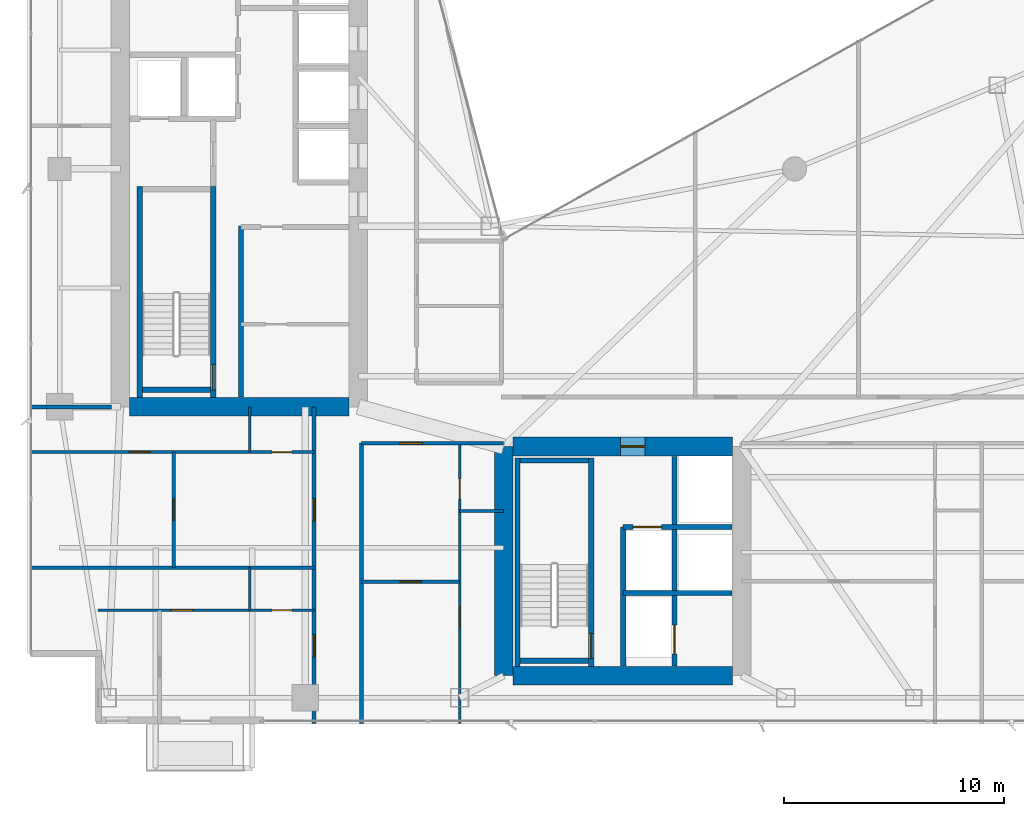
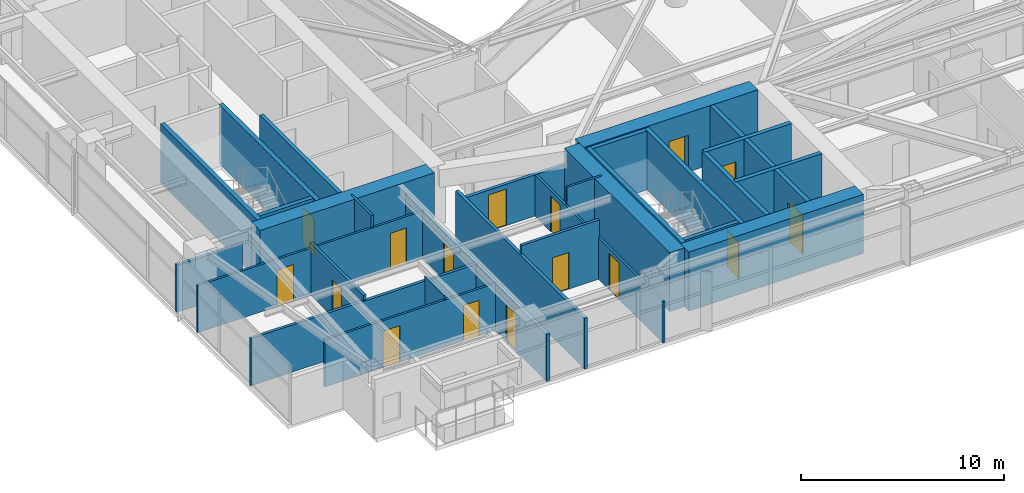
# One storey, part 22 of 28: 29 walls, 16 doors, 16 openings.
"""IFC4 building model written with IfcOpenShell, lengths in metres."""

from ifc_helpers import new_model, si_unit, direction, frame, frame_2d, origin, place, context, subcontext, project, spatial, rectangle, extrude, material, layer, layer_set, type_object, element, fill, save


model = new_model("IFC4")

# Units and contexts
model_context = context("Model", 3, precision=1e-05, world=origin(), true_north=direction((0.0, 1.0)))
body_context = subcontext(model_context, "Body", "Model", "MODEL_VIEW")
ifc_project = project(units=[si_unit("LENGTHUNIT", "METRE"), si_unit("AREAUNIT", "SQUARE_METRE"), si_unit("VOLUMEUNIT", "CUBIC_METRE"), si_unit("PLANEANGLEUNIT", "RADIAN"), si_unit("MASSUNIT", "GRAM", prefix="KILO")], contexts=[model_context])

# Site, building, storey
site_placement = place(None, origin())
site = spatial("IfcSite", under=ifc_project, at=site_placement, CompositionType="ELEMENT")
building_placement = place(site_placement, origin())
building = spatial("IfcBuilding", under=site, at=building_placement, Name="Calvorn Quay Hotel", CompositionType="ELEMENT")
storey_placement = place(building_placement, frame((0.0, 0.0, 101.199951171875)))
storey = spatial("IfcBuildingStorey", under=building, at=storey_placement, Name="L24", CompositionType="ELEMENT", Elevation=101.199951171875)

# Walls
ifc_material_1 = material(Name="Concrete C50", Category="concrete")
ifc_layer_1 = layer(ifc_material_1, 0.85009765625)
ifc_layer_set_1 = layer_set([ifc_layer_1], Name="WL-CORE-850")
wall_type_1 = type_object("IfcWallType", Name="WL-CORE-850", PredefinedType="SHEAR", material=ifc_layer_set_1)
wall_1_placement = place(storey_placement, frame((4.625, 16.800048828125, 0.0), z_axis=(0.0, 0.0, 1.0), x_axis=(1.0, 0.0, 0.0)))
element("IfcWall", 1, at=wall_1_placement, inside=storey, type_object=wall_type_1, Name="West Core Shear Wall S (L24)", PredefinedType="SHEAR", context=body_context, shape_type="SweptSolid", body=[
    extrude(rectangle(XDim=9.949951171875, YDim=0.85009765625, at=frame_2d((4.97509765625, 0.0))), origin(), (0.0, 0.0, 1.0), 3.56005859375),
])
wall_2_placement = place(storey_placement, frame((21.60009765625, 4.60009765625, 0.0), z_axis=(0.0, 0.0, 1.0), x_axis=(0.0, 1.0, 0.0)))
element("IfcWall", 2, at=wall_2_placement, inside=storey, type_object=wall_type_1, Name="East Core Shear Wall W (L24)", PredefinedType="SHEAR", context=body_context, shape_type="SweptSolid", body=[
    extrude(rectangle(XDim=10.39990234375, YDim=0.85009765625, at=frame_2d((5.199951171875, 0.0))), origin(), (0.0, 0.0, 1.0), 3.56005859375),
])

# Wall, opening, door
wall_3_placement = place(storey_placement, frame((22.02490234375, 15.0, 0.0), z_axis=(0.0, 0.0, 1.0), x_axis=(1.0, 0.0, 0.0)))
wall_3 = element("IfcWall", 3, at=wall_3_placement, inside=storey, type_object=wall_type_1, Name="East Core Shear Wall N (L24)", PredefinedType="SHEAR", context=body_context, shape_type="SweptSolid", body=[
    extrude(rectangle(XDim=9.9501953125, YDim=0.85009765625, at=frame_2d((4.97509765625, 0.0))), origin(), (0.0, 0.0, 1.0), 3.56005859375),
])
opening_1_placement = place(wall_3_placement, frame((4.8798828125, 0.0, 0.0)))
opening_1 = element("IfcOpeningElement", 4, at=opening_1_placement, cuts=wall_3, Name="Opening D-L24-FLE", PredefinedType="OPENING", context=body_context, shape_type="SweptSolid", body=[
    extrude(rectangle(XDim=1.10009765625, YDim=2.199951171875, at=frame_2d((0.550048828125, 1.10009765625))), frame((0.0, 0.43505859375, 0.0), z_axis=(0.0, -1.0, 0.0), x_axis=(1.0, 0.0, 0.0)), (0.0, 0.0, 1.0), 0.8701171875),
])
ifc_material_2 = material(Name="Smoke-Sealed Steel Class A Fire Door", Category="steel")
door_type_1 = type_object("IfcDoorType", Name="DR-FFLOBBY-1100", OperationType="NOTDEFINED", PredefinedType="DOOR", material=ifc_material_2)
door_1_placement = place(opening_1_placement, origin())
door_1 = element("IfcDoor", 5, at=door_1_placement, inside=storey, type_object=door_type_1, Name="East Firefighting Lobby Fire Door (L24)", OperationType="SINGLE_SWING_RIGHT", OverallHeight=2.199951171875, OverallWidth=1.10009765625, PredefinedType="DOOR", context=body_context, shape_type="SweptSolid", body=[
    extrude(rectangle(XDim=1.10009765625, YDim=2.199951171875, at=frame_2d((0.550048828125, 1.10009765625))), frame((0.0, 0.02490234375, 0.0), z_axis=(0.0, -1.0, 0.0), x_axis=(1.0, 0.0, 0.0)), (0.0, 0.0, 1.0), 0.050048828125),
])
fill(opening_1, door_1)

# Walls
wall_4_placement = place(storey_placement, frame((22.02490234375, 4.60009765625, 0.0), z_axis=(0.0, 0.0, 1.0), x_axis=(1.0, 0.0, 0.0)))
element("IfcWall", 6, at=wall_4_placement, inside=storey, type_object=wall_type_1, Name="East Core Shear Wall S (L24)", PredefinedType="SHEAR", context=body_context, shape_type="SweptSolid", body=[
    extrude(rectangle(XDim=9.9501953125, YDim=0.85009765625, at=frame_2d((4.97509765625, 0.0))), origin(), (0.0, 0.0, 1.0), 3.56005859375),
])
ifc_material_3 = material(Name="Acoustic Fireboard Steel-Stud Partition", Category="steel")
ifc_layer_2 = layer(ifc_material_3, 0.179931640625)
ifc_layer_set_2 = layer_set([ifc_layer_2], Name="WL-CORR-FIRE-180")
wall_type_2 = type_object("IfcWallType", Name="WL-CORR-FIRE-180", PredefinedType="PARTITIONING", material=ifc_layer_set_2)
wall_5_placement = place(storey_placement, frame((0.080078125, 16.800048828125, 0.0), z_axis=(0.0, 0.0, 1.0), x_axis=(1.0, 0.0, 0.0)))
element("IfcWall", 7, at=wall_5_placement, inside=storey, type_object=wall_type_2, Name="Partition Wall L24-WL-WBAY-S-WALL", PredefinedType="PARTITIONING", context=body_context, shape_type="SweptSolid", body=[
    extrude(rectangle(XDim=3.724853515625, YDim=0.179931640625, at=frame_2d((1.8623046875, 0.0))), origin(), (0.0, 0.0, 1.0), 2.840087890625),
])

# Wall, openings, doors
wall_6_placement = place(storey_placement, frame((13.0, 2.43994140625, 0.0), z_axis=(0.0, 0.0, 1.0), x_axis=(0.0, 1.0, 0.0)))
wall_6 = element("IfcWall", 8, at=wall_6_placement, inside=storey, type_object=wall_type_2, Name="Partition Wall L24-WL-CORR-SW-LEG-W", PredefinedType="PARTITIONING", context=body_context, shape_type="SweptSolid", body=[
    extrude(rectangle(XDim=14.360107421875, YDim=0.179931640625, at=frame_2d((7.18017578125, 0.0))), origin(), (0.0, 0.0, 1.0), 2.840087890625),
])
opening_2_placement = place(wall_6_placement, frame((3.010009765625, 0.0, 0.0)))
opening_2 = element("IfcOpeningElement", 9, at=opening_2_placement, cuts=wall_6, Name="Opening D-L24-U01", PredefinedType="OPENING", context=body_context, shape_type="SweptSolid", body=[
    extrude(rectangle(XDim=1.02001953125, YDim=2.199951171875, at=frame_2d((0.510009765625, 1.10009765625))), frame((0.0, 0.099853515625, 0.0), z_axis=(0.0, -1.0, 0.0), x_axis=(1.0, 0.0, 0.0)), (0.0, 0.0, 1.0), 0.199951171875),
])
opening_3_placement = place(wall_6_placement, frame((9.179931640625, 0.0, 0.0)))
opening_3 = element("IfcOpeningElement", 10, at=opening_3_placement, cuts=wall_6, Name="Opening D-L24-U02", PredefinedType="OPENING", context=body_context, shape_type="SweptSolid", body=[
    extrude(rectangle(XDim=1.02001953125, YDim=2.199951171875, at=frame_2d((0.510009765625, 1.10009765625))), frame((0.0, 0.099853515625, 0.0), z_axis=(0.0, -1.0, 0.0), x_axis=(1.0, 0.0, 0.0)), (0.0, 0.0, 1.0), 0.199951171875),
])
ifc_material_4 = material(Name="Solid-Core Walnut Veneer Hotel Fire Door")
door_type_2 = type_object("IfcDoorType", Name="DR-GUEST-ENTRY-1020", OperationType="NOTDEFINED", PredefinedType="DOOR", material=ifc_material_4)
door_2_placement = place(opening_2_placement, origin())
door_2 = element("IfcDoor", 11, at=door_2_placement, inside=storey, type_object=door_type_2, Name="South-West Unit Door U01 (L24)", OperationType="SINGLE_SWING_LEFT", OverallHeight=2.199951171875, OverallWidth=1.02001953125, PredefinedType="DOOR", context=body_context, shape_type="SweptSolid", body=[
    extrude(rectangle(XDim=1.02001953125, YDim=2.199951171875, at=frame_2d((0.510009765625, 1.10009765625))), frame((0.0, 0.02490234375, 0.0), z_axis=(0.0, -1.0, 0.0), x_axis=(1.0, 0.0, 0.0)), (0.0, 0.0, 1.0), 0.050048828125),
])
fill(opening_2, door_2)
door_3_placement = place(opening_3_placement, origin())
door_3 = element("IfcDoor", 12, at=door_3_placement, inside=storey, type_object=door_type_2, Name="South-West Unit Door U02 (L24)", OperationType="SINGLE_SWING_RIGHT", OverallHeight=2.199951171875, OverallWidth=1.02001953125, PredefinedType="DOOR", context=body_context, shape_type="SweptSolid", body=[
    extrude(rectangle(XDim=1.02001953125, YDim=2.199951171875, at=frame_2d((0.510009765625, 1.10009765625))), frame((0.0, 0.02490234375, 0.0), z_axis=(0.0, -1.0, 0.0), x_axis=(1.0, 0.0, 0.0)), (0.0, 0.0, 1.0), 0.050048828125),
])
fill(opening_3, door_3)

# Wall
wall_7_placement = place(storey_placement, frame((15.14990234375, 2.43994140625, 0.0), z_axis=(0.0, 0.0, 1.0), x_axis=(0.0, 1.0, 0.0)))
element("IfcWall", 13, at=wall_7_placement, inside=storey, type_object=wall_type_2, Name="Partition Wall L24-WL-CORR-SW-W", PredefinedType="PARTITIONING", context=body_context, shape_type="SweptSolid", body=[
    extrude(rectangle(XDim=12.7099609375, YDim=0.179931640625, at=frame_2d((6.35498046875, 0.0))), origin(), (0.0, 0.0, 1.0), 3.0400390625),
])

# Wall, opening, door
wall_8_placement = place(storey_placement, frame((15.14990234375, 15.14990234375, 0.0), z_axis=(0.0, 0.0, 1.0), x_axis=(1.0, 0.0, 0.0)))
wall_8 = element("IfcWall", 14, at=wall_8_placement, inside=storey, type_object=wall_type_2, Name="Partition Wall L24-WL-SC-CORR-S", PredefinedType="PARTITIONING", context=body_context, shape_type="SweptSolid", body=[
    extrude(rectangle(XDim=6.4501953125, YDim=0.179931640625, at=frame_2d((3.22509765625, 0.0))), origin(), (0.0, 0.0, 1.0), 2.489990234375),
])
opening_4_placement = place(wall_8_placement, frame((1.739990234375, 0.0, 0.0)))
opening_4 = element("IfcOpeningElement", 15, at=opening_4_placement, cuts=wall_8, Name="Opening D-L24-U03", PredefinedType="OPENING", context=body_context, shape_type="SweptSolid", body=[
    extrude(rectangle(XDim=1.02001953125, YDim=2.199951171875, at=frame_2d((0.510009765625, 1.10009765625))), frame((0.0, 0.099853515625, 0.0), z_axis=(0.0, -1.0, 0.0), x_axis=(1.0, 0.0, 0.0)), (0.0, 0.0, 1.0), 0.199951171875),
])
door_4_placement = place(opening_4_placement, origin())
door_4 = element("IfcDoor", 16, at=door_4_placement, inside=storey, type_object=door_type_2, Name="Harbour Central Unit Door (L24)", OperationType="SINGLE_SWING_LEFT", OverallHeight=2.199951171875, OverallWidth=1.02001953125, PredefinedType="DOOR", context=body_context, shape_type="SweptSolid", body=[
    extrude(rectangle(XDim=1.02001953125, YDim=2.199951171875, at=frame_2d((0.510009765625, 1.10009765625))), frame((0.0, 0.02490234375, 0.0), z_axis=(0.0, -1.0, 0.0), x_axis=(1.0, 0.0, 0.0)), (0.0, 0.0, 1.0), 0.050048828125),
])
fill(opening_4, door_4)

# Wall
ifc_material_5 = material(Name="Moisture-Resistant Tile-Backed Partition")
ifc_layer_3 = layer(ifc_material_5, 0.125)
ifc_layer_set_3 = layer_set([ifc_layer_3], Name="WL-ENSUITE-125")
wall_type_3 = type_object("IfcWallType", Name="WL-ENSUITE-125", PredefinedType="PARTITIONING", material=ifc_layer_set_3)
wall_9_placement = place(storey_placement, frame((10.080078125, 7.570068359375, 0.0), z_axis=(0.0, 0.0, 1.0), x_axis=(0.0, 1.0, 0.0)))
element("IfcWall", 17, at=wall_9_placement, inside=storey, type_object=wall_type_3, Name="Partition Wall L24-WL-U01-BDV", PredefinedType="PARTITIONING", context=body_context, shape_type="SweptSolid", body=[
    extrude(rectangle(XDim=1.929931640625, YDim=0.125, at=frame_2d((0.96484375, 0.0))), origin(), (0.0, 0.0, 1.0), 3.090087890625),
])

# Wall, openings, doors
wall_10_placement = place(storey_placement, frame((3.199951171875, 7.570068359375, 0.0), z_axis=(0.0, 0.0, 1.0), x_axis=(1.0, 0.0, 0.0)))
wall_10 = element("IfcWall", 18, at=wall_10_placement, inside=storey, type_object=wall_type_3, Name="Partition Wall L24-WL-U01-BH", PredefinedType="PARTITIONING", context=body_context, shape_type="SweptSolid", body=[
    extrude(rectangle(XDim=9.800048828125, YDim=0.125, at=frame_2d((4.89990234375, 0.0))), origin(), (0.0, 0.0, 1.0), 2.840087890625),
])
opening_5_placement = place(wall_10_placement, frame((3.320068359375, 0.0, 0.0)))
opening_5 = element("IfcOpeningElement", 19, at=opening_5_placement, cuts=wall_10, Name="Opening D-L24-S01", PredefinedType="OPENING", context=body_context, shape_type="SweptSolid", body=[
    extrude(rectangle(XDim=0.9599609375, YDim=2.199951171875, at=frame_2d((0.47998046875, 1.10009765625))), frame((0.0, 0.072509765625, 0.0), z_axis=(0.0, -1.0, 0.0), x_axis=(1.0, 0.0, 0.0)), (0.0, 0.0, 1.0), 0.14501953125),
])
opening_6_placement = place(wall_10_placement, frame((7.889892578125, 0.0, 0.0)))
opening_6 = element("IfcOpeningElement", 20, at=opening_6_placement, cuts=wall_10, Name="Opening D-L24-E01", PredefinedType="OPENING", context=body_context, shape_type="SweptSolid", body=[
    extrude(rectangle(XDim=0.89990234375, YDim=2.14990234375, at=frame_2d((0.449951171875, 1.074951171875))), frame((0.0, 0.072509765625, 0.0), z_axis=(0.0, -1.0, 0.0), x_axis=(1.0, 0.0, 0.0)), (0.0, 0.0, 1.0), 0.14501953125),
])
ifc_material_6 = material(Name="Moisture-Sealed Timber En-Suite Door", Category="wood")
door_type_3 = type_object("IfcDoorType", Name="DR-ENSUITE-900", OperationType="NOTDEFINED", PredefinedType="DOOR", material=ifc_material_6)
door_5_placement = place(opening_6_placement, origin())
door_5 = element("IfcDoor", 21, at=door_5_placement, inside=storey, type_object=door_type_3, Name="En-Suite Door 01", OperationType="SINGLE_SWING_RIGHT", OverallHeight=2.14990234375, OverallWidth=0.89990234375, PredefinedType="DOOR", context=body_context, shape_type="SweptSolid", body=[
    extrude(rectangle(XDim=0.89990234375, YDim=2.14990234375, at=frame_2d((0.449951171875, 1.074951171875))), frame((0.0, 0.02490234375, 0.0), z_axis=(0.0, -1.0, 0.0), x_axis=(1.0, 0.0, 0.0)), (0.0, 0.0, 1.0), 0.050048828125),
])
fill(opening_6, door_5)
ifc_material_7 = material(Name="Solid Timber Internal Suite Door", Category="wood")
door_type_4 = type_object("IfcDoorType", Name="DR-SUITE-INT-960", OperationType="NOTDEFINED", PredefinedType="DOOR", material=ifc_material_7)
door_6_placement = place(opening_5_placement, origin())
door_6 = element("IfcDoor", 22, at=door_6_placement, inside=storey, type_object=door_type_4, Name="Children Play Nursery Door 01", OperationType="SINGLE_SWING_LEFT", OverallHeight=2.199951171875, OverallWidth=0.9599609375, PredefinedType="DOOR", context=body_context, shape_type="SweptSolid", body=[
    extrude(rectangle(XDim=0.9599609375, YDim=2.199951171875, at=frame_2d((0.47998046875, 1.10009765625))), frame((0.0, 0.02490234375, 0.0), z_axis=(0.0, -1.0, 0.0), x_axis=(1.0, 0.0, 0.0)), (0.0, 0.0, 1.0), 0.050048828125),
])
fill(opening_5, door_6)

# Wall
wall_11_placement = place(storey_placement, frame((10.080078125, 14.75, 0.0), z_axis=(0.0, 0.0, 1.0), x_axis=(0.0, 1.0, 0.0)))
element("IfcWall", 23, at=wall_11_placement, inside=storey, type_object=wall_type_3, Name="Partition Wall L24-WL-U02-BDV", PredefinedType="PARTITIONING", context=body_context, shape_type="SweptSolid", body=[
    extrude(rectangle(XDim=2.050048828125, YDim=0.125, at=frame_2d((1.02490234375, 0.0))), origin(), (0.0, 0.0, 1.0), 3.56005859375),
])

# Wall, openings, doors
wall_12_placement = place(storey_placement, frame((0.080078125, 14.75, 0.0), z_axis=(0.0, 0.0, 1.0), x_axis=(1.0, 0.0, 0.0)))
wall_12 = element("IfcWall", 24, at=wall_12_placement, inside=storey, type_object=wall_type_3, Name="Partition Wall L24-WL-U02-BH", PredefinedType="PARTITIONING", context=body_context, shape_type="SweptSolid", body=[
    extrude(rectangle(XDim=12.919921875, YDim=0.125, at=frame_2d((6.4599609375, 0.0))), origin(), (0.0, 0.0, 1.0), 2.840087890625),
])
opening_7_placement = place(wall_12_placement, frame((4.52001953125, 0.0, 0.0)))
opening_7 = element("IfcOpeningElement", 25, at=opening_7_placement, cuts=wall_12, Name="Opening D-L24-S02", PredefinedType="OPENING", context=body_context, shape_type="SweptSolid", body=[
    extrude(rectangle(XDim=0.9599609375, YDim=2.199951171875, at=frame_2d((0.47998046875, 1.10009765625))), frame((0.0, 0.072509765625, 0.0), z_axis=(0.0, -1.0, 0.0), x_axis=(1.0, 0.0, 0.0)), (0.0, 0.0, 1.0), 0.14501953125),
])
opening_8_placement = place(wall_12_placement, frame((11.010009765625, 0.0, 0.0)))
opening_8 = element("IfcOpeningElement", 26, at=opening_8_placement, cuts=wall_12, Name="Opening D-L24-E02", PredefinedType="OPENING", context=body_context, shape_type="SweptSolid", body=[
    extrude(rectangle(XDim=0.89990234375, YDim=2.14990234375, at=frame_2d((0.449951171875, 1.074951171875))), frame((0.0, 0.072509765625, 0.0), z_axis=(0.0, -1.0, 0.0), x_axis=(1.0, 0.0, 0.0)), (0.0, 0.0, 1.0), 0.14501953125),
])
door_7_placement = place(opening_8_placement, origin())
door_7 = element("IfcDoor", 27, at=door_7_placement, inside=storey, type_object=door_type_3, Name="En-Suite Door 02", OperationType="SINGLE_SWING_RIGHT", OverallHeight=2.14990234375, OverallWidth=0.89990234375, PredefinedType="DOOR", context=body_context, shape_type="SweptSolid", body=[
    extrude(rectangle(XDim=0.89990234375, YDim=2.14990234375, at=frame_2d((0.449951171875, 1.074951171875))), frame((0.0, 0.02490234375, 0.0), z_axis=(0.0, -1.0, 0.0), x_axis=(1.0, 0.0, 0.0)), (0.0, 0.0, 1.0), 0.050048828125),
])
fill(opening_8, door_7)
door_8_placement = place(opening_7_placement, origin())
door_8 = element("IfcDoor", 28, at=door_8_placement, inside=storey, type_object=door_type_4, Name="Children Play Nursery Door 02", OperationType="SINGLE_SWING_LEFT", OverallHeight=2.199951171875, OverallWidth=0.9599609375, PredefinedType="DOOR", context=body_context, shape_type="SweptSolid", body=[
    extrude(rectangle(XDim=0.9599609375, YDim=2.199951171875, at=frame_2d((0.47998046875, 1.10009765625))), frame((0.0, 0.02490234375, 0.0), z_axis=(0.0, -1.0, 0.0), x_axis=(1.0, 0.0, 0.0)), (0.0, 0.0, 1.0), 0.050048828125),
])
fill(opening_7, door_8)

# Wall
wall_13_placement = place(storey_placement, frame((19.60009765625, 12.070068359375, 0.0), z_axis=(0.0, 0.0, 1.0), x_axis=(1.0, 0.0, 0.0)))
element("IfcWall", 29, at=wall_13_placement, inside=storey, type_object=wall_type_3, Name="Partition Wall L24-WL-U03-BDV", PredefinedType="PARTITIONING", context=body_context, shape_type="SweptSolid", body=[
    extrude(rectangle(XDim=2.0, YDim=0.125, at=frame_2d((1.0, 0.0))), origin(), (0.0, 0.0, 1.0), 3.56005859375),
])

# Wall, openings, doors
wall_14_placement = place(storey_placement, frame((19.60009765625, 2.43994140625, 0.0), z_axis=(0.0, 0.0, 1.0), x_axis=(0.0, 1.0, 0.0)))
wall_14 = element("IfcWall", 30, at=wall_14_placement, inside=storey, type_object=wall_type_3, Name="Partition Wall L24-WL-U03-BV", PredefinedType="PARTITIONING", context=body_context, shape_type="SweptSolid", body=[
    extrude(rectangle(XDim=12.7099609375, YDim=0.125, at=frame_2d((6.35498046875, 0.0))), origin(), (0.0, 0.0, 1.0), 2.489990234375),
])
opening_9_placement = place(wall_14_placement, frame((4.340087890625, 0.0, 0.0)))
opening_9 = element("IfcOpeningElement", 31, at=opening_9_placement, cuts=wall_14, Name="Opening D-L24-S03", PredefinedType="OPENING", context=body_context, shape_type="SweptSolid", body=[
    extrude(rectangle(XDim=0.9599609375, YDim=2.199951171875, at=frame_2d((0.47998046875, 1.10009765625))), frame((0.0, 0.072509765625, 0.0), z_axis=(0.0, -1.0, 0.0), x_axis=(1.0, 0.0, 0.0)), (0.0, 0.0, 1.0), 0.14501953125),
])
opening_10_placement = place(wall_14_placement, frame((10.179931640625, 0.0, 0.0)))
opening_10 = element("IfcOpeningElement", 32, at=opening_10_placement, cuts=wall_14, Name="Opening D-L24-E03", PredefinedType="OPENING", context=body_context, shape_type="SweptSolid", body=[
    extrude(rectangle(XDim=0.89990234375, YDim=2.14990234375, at=frame_2d((0.449951171875, 1.074951171875))), frame((0.0, 0.072509765625, 0.0), z_axis=(0.0, -1.0, 0.0), x_axis=(1.0, 0.0, 0.0)), (0.0, 0.0, 1.0), 0.14501953125),
])
door_9_placement = place(opening_10_placement, origin())
door_9 = element("IfcDoor", 33, at=door_9_placement, inside=storey, type_object=door_type_3, Name="En-Suite Door 03", OperationType="SINGLE_SWING_RIGHT", OverallHeight=2.14990234375, OverallWidth=0.89990234375, PredefinedType="DOOR", context=body_context, shape_type="SweptSolid", body=[
    extrude(rectangle(XDim=0.89990234375, YDim=2.14990234375, at=frame_2d((0.449951171875, 1.074951171875))), frame((0.0, 0.02490234375, 0.0), z_axis=(0.0, -1.0, 0.0), x_axis=(1.0, 0.0, 0.0)), (0.0, 0.0, 1.0), 0.050048828125),
])
fill(opening_10, door_9)
door_10_placement = place(opening_9_placement, origin())
door_10 = element("IfcDoor", 34, at=door_10_placement, inside=storey, type_object=door_type_4, Name="Children Play Nursery Door 03", OperationType="SINGLE_SWING_LEFT", OverallHeight=2.199951171875, OverallWidth=0.9599609375, PredefinedType="DOOR", context=body_context, shape_type="SweptSolid", body=[
    extrude(rectangle(XDim=0.9599609375, YDim=2.199951171875, at=frame_2d((0.47998046875, 1.10009765625))), frame((0.0, 0.02490234375, 0.0), z_axis=(0.0, -1.0, 0.0), x_axis=(1.0, 0.0, 0.0)), (0.0, 0.0, 1.0), 0.050048828125),
])
fill(opening_9, door_10)

# Wall, opening, door
ifc_material_8 = material(Name="Double-Stud Acoustic Gypsum Partition")
ifc_layer_4 = layer(ifc_material_8, 0.159912109375)
ifc_layer_set_4 = layer_set([ifc_layer_4], Name="WL-INTERSUITE-160")
wall_type_4 = type_object("IfcWallType", Name="WL-INTERSUITE-160", PredefinedType="PARTITIONING", material=ifc_layer_set_4)
wall_15_placement = place(storey_placement, frame((6.6201171875, 9.5, 0.0), z_axis=(0.0, 0.0, 1.0), x_axis=(0.0, 1.0, 0.0)))
wall_15 = element("IfcWall", 35, at=wall_15_placement, inside=storey, type_object=wall_type_4, Name="Partition Wall L24-WL-U02-MSP", PredefinedType="PARTITIONING", context=body_context, shape_type="SweptSolid", body=[
    extrude(rectangle(XDim=5.25, YDim=0.159912109375, at=frame_2d((2.625, 0.0))), origin(), (0.0, 0.0, 1.0), 3.14013671875),
])
opening_11_placement = place(wall_15_placement, frame((2.14990234375, 0.0, 0.0)))
opening_11 = element("IfcOpeningElement", 36, at=opening_11_placement, cuts=wall_15, Name="Opening D-L24-M02", PredefinedType="OPENING", context=body_context, shape_type="SweptSolid", body=[
    extrude(rectangle(XDim=0.9599609375, YDim=2.199951171875, at=frame_2d((0.47998046875, 1.10009765625))), frame((0.0, 0.08984375, 0.0), z_axis=(0.0, -1.0, 0.0), x_axis=(1.0, 0.0, 0.0)), (0.0, 0.0, 1.0), 0.179931640625),
])
door_11_placement = place(opening_11_placement, origin())
door_11 = element("IfcDoor", 37, at=door_11_placement, inside=storey, type_object=door_type_4, Name="Suite Bedroom Door 02", OperationType="SINGLE_SWING_LEFT", OverallHeight=2.199951171875, OverallWidth=0.9599609375, PredefinedType="DOOR", context=body_context, shape_type="SweptSolid", body=[
    extrude(rectangle(XDim=0.9599609375, YDim=2.199951171875, at=frame_2d((0.47998046875, 1.10009765625))), frame((0.0, 0.02490234375, 0.0), z_axis=(0.0, -1.0, 0.0), x_axis=(1.0, 0.0, 0.0)), (0.0, 0.0, 1.0), 0.050048828125),
])
fill(opening_11, door_11)

# Wall
wall_16_placement = place(storey_placement, frame((0.080078125, 9.5, 0.0), z_axis=(0.0, 0.0, 1.0), x_axis=(1.0, 0.0, 0.0)))
element("IfcWall", 38, at=wall_16_placement, inside=storey, type_object=wall_type_4, Name="Partition Wall L24-WL-SW-DIV-1", PredefinedType="PARTITIONING", context=body_context, shape_type="SweptSolid", body=[
    extrude(rectangle(XDim=12.919921875, YDim=0.159912109375, at=frame_2d((6.4599609375, 0.0))), origin(), (0.0, 0.0, 1.0), 2.840087890625),
])

# Wall, opening, door
wall_17_placement = place(storey_placement, frame((15.14990234375, 8.8701171875, 0.0), z_axis=(0.0, 0.0, 1.0), x_axis=(1.0, 0.0, 0.0)))
wall_17 = element("IfcWall", 39, at=wall_17_placement, inside=storey, type_object=wall_type_4, Name="Partition Wall L24-WL-U03-MSP", PredefinedType="PARTITIONING", context=body_context, shape_type="SweptSolid", body=[
    extrude(rectangle(XDim=4.4501953125, YDim=0.159912109375, at=frame_2d((2.22509765625, 0.0))), origin(), (0.0, 0.0, 1.0), 3.56005859375),
])
opening_12_placement = place(wall_17_placement, frame((1.75, 0.0, 0.0)))
opening_12 = element("IfcOpeningElement", 40, at=opening_12_placement, cuts=wall_17, Name="Opening D-L24-M03", PredefinedType="OPENING", context=body_context, shape_type="SweptSolid", body=[
    extrude(rectangle(XDim=0.9599609375, YDim=2.199951171875, at=frame_2d((0.47998046875, 1.10009765625))), frame((0.0, 0.08984375, 0.0), z_axis=(0.0, -1.0, 0.0), x_axis=(1.0, 0.0, 0.0)), (0.0, 0.0, 1.0), 0.179931640625),
])
door_12_placement = place(opening_12_placement, origin())
door_12 = element("IfcDoor", 41, at=door_12_placement, inside=storey, type_object=door_type_4, Name="Suite Bedroom Door 03", OperationType="SINGLE_SWING_LEFT", OverallHeight=2.199951171875, OverallWidth=0.9599609375, PredefinedType="DOOR", context=body_context, shape_type="SweptSolid", body=[
    extrude(rectangle(XDim=0.9599609375, YDim=2.199951171875, at=frame_2d((0.47998046875, 1.10009765625))), frame((0.0, 0.02490234375, 0.0), z_axis=(0.0, -1.0, 0.0), x_axis=(1.0, 0.0, 0.0)), (0.0, 0.0, 1.0), 0.050048828125),
])
fill(opening_12, door_12)

# Walls
ifc_material_9 = material(Name="Autoclaved Aerated Masonry Block", Category="masonry")
ifc_layer_5 = layer(ifc_material_9, 0.219970703125)
ifc_layer_set_5 = layer_set([ifc_layer_5], Name="WL-LOBBY-FIRE-220")
wall_type_5 = type_object("IfcWallType", Name="WL-LOBBY-FIRE-220", PredefinedType="SOLIDWALL", material=ifc_layer_set_5)
wall_18_placement = place(storey_placement, frame((9.679931640625, 17.2451171875, 0.0), z_axis=(0.0, 0.0, 1.0), x_axis=(0.0, 1.0, 0.0)))
element("IfcWall", 42, at=wall_18_placement, inside=storey, type_object=wall_type_5, Name="Partition Wall L24-WL-CWW-STW-HALL-E", PredefinedType="SOLIDWALL", context=body_context, shape_type="SweptSolid", body=[
    extrude(rectangle(XDim=7.7548828125, YDim=0.219970703125, at=frame_2d((3.87744140625, 0.0))), origin(), (0.0, 0.0, 1.0), 3.56005859375),
])
ifc_material_10 = material(Name="Concrete C40", Category="concrete")
ifc_layer_6 = layer(ifc_material_10, 0.239990234375)
ifc_layer_set_6 = layer_set([ifc_layer_6], Name="WL-SHAFT-240")
wall_type_6 = type_object("IfcWallType", Name="WL-SHAFT-240", PredefinedType="SOLIDWALL", material=ifc_layer_set_6)
wall_19_placement = place(storey_placement, frame((5.080078125, 17.22509765625, 0.0), z_axis=(0.0, 0.0, 1.0), x_axis=(0.0, 1.0, 0.0)))
element("IfcWall", 43, at=wall_19_placement, inside=storey, type_object=wall_type_6, Name="Stair STW Shaft Wall W (L24)", PredefinedType="SOLIDWALL", context=body_context, shape_type="SweptSolid", body=[
    extrude(rectangle(XDim=9.56494140625, YDim=0.239990234375, at=frame_2d((4.782470703125, 0.0))), origin(), (0.0, 0.0, 1.0), 3.56005859375),
])

# Wall, opening, door
wall_20_placement = place(storey_placement, frame((8.419921875, 17.22509765625, 0.0), z_axis=(0.0, 0.0, 1.0), x_axis=(0.0, 1.0, 0.0)))
wall_20 = element("IfcWall", 44, at=wall_20_placement, inside=storey, type_object=wall_type_6, Name="Stair STW Shaft Wall E (L24)", PredefinedType="SOLIDWALL", context=body_context, shape_type="SweptSolid", body=[
    extrude(rectangle(XDim=9.56494140625, YDim=0.239990234375, at=frame_2d((4.782470703125, 0.0))), origin(), (0.0, 0.0, 1.0), 3.56005859375),
])
opening_13_placement = place(wall_20_placement, frame((0.35009765625, 0.0, 0.0)))
opening_13 = element("IfcOpeningElement", 45, at=opening_13_placement, cuts=wall_20, Name="Opening D-L24-STW", PredefinedType="OPENING", context=body_context, shape_type="SweptSolid", body=[
    extrude(rectangle(XDim=1.14990234375, YDim=2.199951171875, at=frame_2d((0.574951171875, 1.10009765625))), frame((0.0, 0.1298828125, 0.0), z_axis=(0.0, -1.0, 0.0), x_axis=(1.0, 0.0, 0.0)), (0.0, 0.0, 1.0), 0.260009765625),
])
ifc_material_11 = material(Name="Galvanised Steel Class A Fire Door", Category="steel")
door_type_5 = type_object("IfcDoorType", Name="DR-STAIR-SMOKE-1150", OperationType="NOTDEFINED", PredefinedType="DOOR", material=ifc_material_11)
door_13_placement = place(opening_13_placement, origin())
door_13 = element("IfcDoor", 46, at=door_13_placement, inside=storey, type_object=door_type_5, Name="Stair ST-W Fire Door (L24)", OperationType="SINGLE_SWING_LEFT", OverallHeight=2.199951171875, OverallWidth=1.14990234375, PredefinedType="DOOR", context=body_context, shape_type="SweptSolid", body=[
    extrude(rectangle(XDim=1.14990234375, YDim=2.199951171875, at=frame_2d((0.574951171875, 1.10009765625))), frame((0.0, 0.02490234375, 0.0), z_axis=(0.0, -1.0, 0.0), x_axis=(1.0, 0.0, 0.0)), (0.0, 0.0, 1.0), 0.050048828125),
])
fill(opening_13, door_13)

# Walls
wall_21_placement = place(storey_placement, frame((5.199951171875, 17.580078125, 0.0), z_axis=(0.0, 0.0, 1.0), x_axis=(1.0, 0.0, 0.0)))
element("IfcWall", 47, at=wall_21_placement, inside=storey, type_object=wall_type_6, Name="Stair STW Shaft Wall S (L24)", PredefinedType="SOLIDWALL", context=body_context, shape_type="SweptSolid", body=[
    extrude(rectangle(XDim=3.10009765625, YDim=0.239990234375, at=frame_2d((1.550048828125, 0.0))), origin(), (0.0, 0.0, 1.0), 3.56005859375),
])
wall_22_placement = place(storey_placement, frame((22.22998046875, 5.02490234375, 0.0), z_axis=(0.0, 0.0, 1.0), x_axis=(0.0, 1.0, 0.0)))
element("IfcWall", 48, at=wall_22_placement, inside=storey, type_object=wall_type_6, Name="Stair STE Shaft Wall W (L24)", PredefinedType="SOLIDWALL", context=body_context, shape_type="SweptSolid", body=[
    extrude(rectangle(XDim=9.465087890625, YDim=0.239990234375, at=frame_2d((4.732421875, 0.0))), origin(), (0.0, 0.0, 1.0), 3.56005859375),
])

# Wall, opening, door
wall_23_placement = place(storey_placement, frame((25.570068359375, 5.02490234375, 0.0), z_axis=(0.0, 0.0, 1.0), x_axis=(0.0, 1.0, 0.0)))
wall_23 = element("IfcWall", 49, at=wall_23_placement, inside=storey, type_object=wall_type_6, Name="Stair STE Shaft Wall E (L24)", PredefinedType="SOLIDWALL", context=body_context, shape_type="SweptSolid", body=[
    extrude(rectangle(XDim=9.465087890625, YDim=0.239990234375, at=frame_2d((4.732421875, 0.0))), origin(), (0.0, 0.0, 1.0), 3.56005859375),
])
opening_14_placement = place(wall_23_placement, frame((0.35009765625, 0.0, 0.0)))
opening_14 = element("IfcOpeningElement", 50, at=opening_14_placement, cuts=wall_23, Name="Opening D-L24-STE", PredefinedType="OPENING", context=body_context, shape_type="SweptSolid", body=[
    extrude(rectangle(XDim=1.14990234375, YDim=2.199951171875, at=frame_2d((0.574951171875, 1.10009765625))), frame((0.0, 0.1298828125, 0.0), z_axis=(0.0, -1.0, 0.0), x_axis=(1.0, 0.0, 0.0)), (0.0, 0.0, 1.0), 0.260009765625),
])
door_14_placement = place(opening_14_placement, origin())
door_14 = element("IfcDoor", 51, at=door_14_placement, inside=storey, type_object=door_type_5, Name="Stair ST-E Fire Door (L24)", OperationType="SINGLE_SWING_RIGHT", OverallHeight=2.199951171875, OverallWidth=1.14990234375, PredefinedType="DOOR", context=body_context, shape_type="SweptSolid", body=[
    extrude(rectangle(XDim=1.14990234375, YDim=2.199951171875, at=frame_2d((0.574951171875, 1.10009765625))), frame((0.0, 0.02490234375, 0.0), z_axis=(0.0, -1.0, 0.0), x_axis=(1.0, 0.0, 0.0)), (0.0, 0.0, 1.0), 0.050048828125),
])
fill(opening_14, door_14)

# Walls
for number, where, z_axis, x_axis, name in (
    (52, (22.35009765625, 5.280029296875, 0.0), (0.0, 0.0, 1.0), (1.0, 0.0, 0.0), "Stair STE Shaft Wall S (L24)"),
    (53, (22.35009765625, 14.3701171875, 0.0), (0.0, 0.0, 1.0), (1.0, 0.0, 0.0), "Stair STE Shaft Wall N (L24)"),
):
    element("IfcWall", number, at=place(storey_placement, frame(where, z_axis=z_axis, x_axis=x_axis)), inside=storey, type_object=wall_type_6, Name=name, PredefinedType="SOLIDWALL", context=body_context, shape_type="SweptSolid", body=[
        extrude(rectangle(XDim=3.099853515625, YDim=0.239990234375, at=frame_2d((1.5498046875, 0.0))), origin(), (0.0, 0.0, 1.0), 3.56005859375),
    ])
wall_24_placement = place(storey_placement, frame((27.02001953125, 5.044921875, 0.0), z_axis=(0.0, 0.0, 1.0), x_axis=(0.0, 1.0, 0.0)))
element("IfcWall", 54, at=wall_24_placement, inside=storey, type_object=wall_type_6, Name="Partition Wall L24-WL-CWE-SH-W", PredefinedType="SOLIDWALL", context=body_context, shape_type="SweptSolid", body=[
    extrude(rectangle(XDim=6.30517578125, YDim=0.239990234375, at=frame_2d((3.152587890625, 0.0))), origin(), (0.0, 0.0, 1.0), 3.56005859375),
])

# Wall, opening, door
wall_25_placement = place(storey_placement, frame((27.02001953125, 11.35009765625, 0.0), z_axis=(0.0, 0.0, 1.0), x_axis=(1.0, 0.0, 0.0)))
wall_25 = element("IfcWall", 55, at=wall_25_placement, inside=storey, type_object=wall_type_6, Name="Partition Wall L24-WL-CWE-FFL-S", PredefinedType="SOLIDWALL", context=body_context, shape_type="SweptSolid", body=[
    extrude(rectangle(XDim=4.93505859375, YDim=0.239990234375, at=frame_2d((2.467529296875, 0.0))), origin(), (0.0, 0.0, 1.0), 3.56005859375),
])
opening_15_placement = place(wall_25_placement, frame((0.449951171875, 0.0, 0.0)))
opening_15 = element("IfcOpeningElement", 56, at=opening_15_placement, cuts=wall_25, Name="Opening LD-L24-FLE1", PredefinedType="OPENING", context=body_context, shape_type="SweptSolid", body=[
    extrude(rectangle(XDim=1.300048828125, YDim=2.35009765625, at=frame_2d((0.64990234375, 1.175048828125))), frame((0.0, 0.1298828125, 0.0), z_axis=(0.0, -1.0, 0.0), x_axis=(1.0, 0.0, 0.0)), (0.0, 0.0, 1.0), 0.260009765625),
])
ifc_material_12 = material(Name="Champagne-Bronze Sliding Express Lift Landing Door")
door_type_6 = type_object("IfcDoorType", Name="DR-LIFT-SHUTTLE-1300", OperationType="NOTDEFINED", PredefinedType="DOOR", material=ifc_material_12)
door_15_placement = place(opening_15_placement, origin())
door_15 = element("IfcDoor", 57, at=door_15_placement, inside=storey, type_object=door_type_6, Name="Firefighting Lift FL-E1 Landing Door (L24)", OperationType="DOUBLE_DOOR_SLIDING", OverallHeight=2.35009765625, OverallWidth=1.300048828125, PredefinedType="DOOR", context=body_context, shape_type="SweptSolid", body=[
    extrude(rectangle(XDim=1.300048828125, YDim=2.35009765625, at=frame_2d((0.64990234375, 1.175048828125))), frame((0.0, 0.02490234375, 0.0), z_axis=(0.0, -1.0, 0.0), x_axis=(1.0, 0.0, 0.0)), (0.0, 0.0, 1.0), 0.050048828125),
])
fill(opening_15, door_15)

# Wall
wall_26_placement = place(storey_placement, frame((27.02001953125, 8.35009765625, 0.0), z_axis=(0.0, 0.0, 1.0), x_axis=(1.0, 0.0, 0.0)))
element("IfcWall", 58, at=wall_26_placement, inside=storey, type_object=wall_type_6, Name="Partition Wall L24-WL-CWE-SL-N", PredefinedType="SOLIDWALL", context=body_context, shape_type="SweptSolid", body=[
    extrude(rectangle(XDim=4.93505859375, YDim=0.239990234375, at=frame_2d((2.467529296875, 0.0))), origin(), (0.0, 0.0, 1.0), 3.56005859375),
])

# Wall, opening, door
wall_27_placement = place(storey_placement, frame((29.35009765625, 5.044921875, 0.0), z_axis=(0.0, 0.0, 1.0), x_axis=(0.0, 1.0, 0.0)))
wall_27 = element("IfcWall", 59, at=wall_27_placement, inside=storey, type_object=wall_type_6, Name="Partition Wall L24-WL-CWE-OB-W", PredefinedType="SOLIDWALL", context=body_context, shape_type="SweptSolid", body=[
    extrude(rectangle(XDim=9.510009765625, YDim=0.239990234375, at=frame_2d((4.7548828125, 0.0))), origin(), (0.0, 0.0, 1.0), 3.56005859375),
])
opening_16_placement = place(wall_27_placement, frame((0.550048828125, 0.0, 0.0)))
opening_16 = element("IfcOpeningElement", 60, at=opening_16_placement, cuts=wall_27, Name="Opening LD-L24-SLEI", PredefinedType="OPENING", context=body_context, shape_type="SweptSolid", body=[
    extrude(rectangle(XDim=1.300048828125, YDim=2.35009765625, at=frame_2d((0.64990234375, 1.175048828125))), frame((0.0, 0.1298828125, 0.0), z_axis=(0.0, -1.0, 0.0), x_axis=(1.0, 0.0, 0.0)), (0.0, 0.0, 1.0), 0.260009765625),
])
door_16_placement = place(opening_16_placement, origin())
door_16 = element("IfcDoor", 61, at=door_16_placement, inside=storey, type_object=door_type_6, Name="Service Lift SL-E1 Landing Door (L24)", OperationType="DOUBLE_DOOR_SLIDING", OverallHeight=2.35009765625, OverallWidth=1.300048828125, PredefinedType="DOOR", context=body_context, shape_type="SweptSolid", body=[
    extrude(rectangle(XDim=1.300048828125, YDim=2.35009765625, at=frame_2d((0.64990234375, 1.175048828125))), frame((0.0, 0.02490234375, 0.0), z_axis=(0.0, -1.0, 0.0), x_axis=(1.0, 0.0, 0.0)), (0.0, 0.0, 1.0), 0.050048828125),
])
fill(opening_16, door_16)

save(model, "model.ifc")
